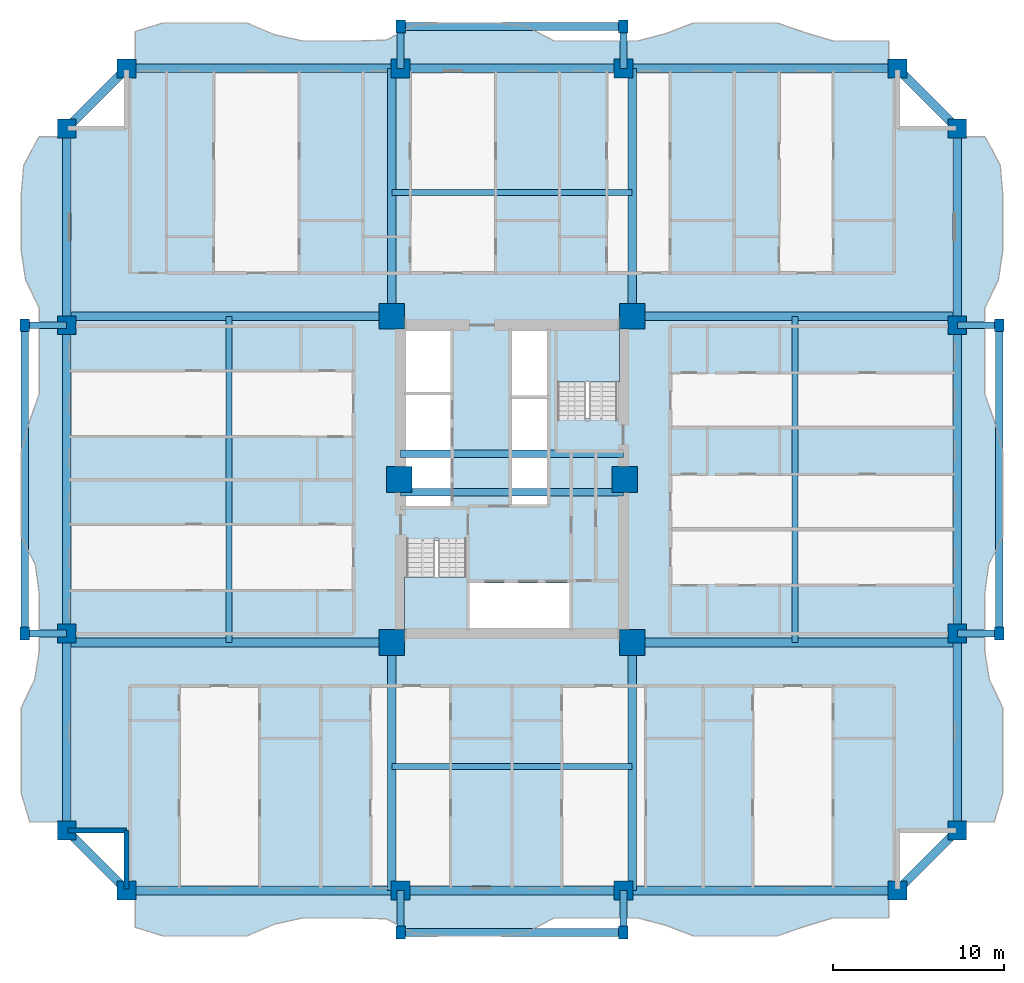
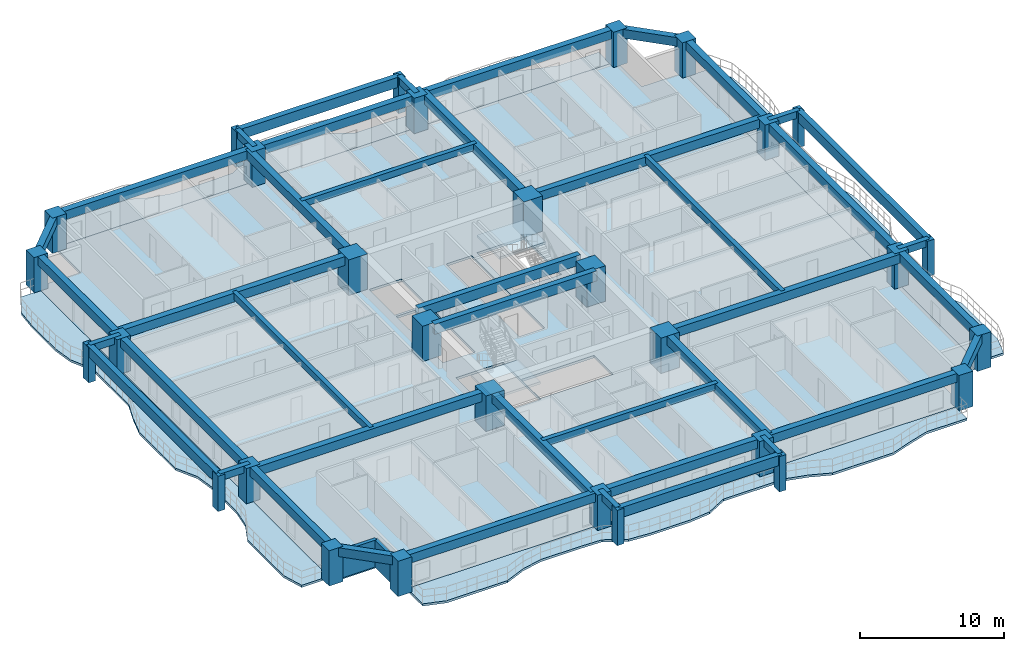
# One storey, part 1 of 18: 42 beams, 30 columns, 7 slabs, 2 walls, 2 elements without a shape of their own.
"""IFC4 building model written with IfcOpenShell, lengths in metres."""

from ifc_helpers import new_model, si_unit, direction, frame, frame_2d, origin, origin_2d, place, context, subcontext, project, spatial, polyline, rectangle, outline, extrude, source, transform, mapped, material, layer, layer_set, material_profile, profile_set, type_object, element, aggregate, save


model = new_model("IFC4")

# Units and contexts
model_context = context("Model", 3, precision=1e-05, world=origin(), true_north=direction((0.0, 1.0)))
body_context = subcontext(model_context, "Body", "Model", "MODEL_VIEW")
ifc_project = project(units=[si_unit("LENGTHUNIT", "METRE"), si_unit("AREAUNIT", "SQUARE_METRE"), si_unit("VOLUMEUNIT", "CUBIC_METRE"), si_unit("PLANEANGLEUNIT", "RADIAN"), si_unit("MASSUNIT", "GRAM", prefix="KILO")], contexts=[model_context])

# Site, building, storey
site_placement = place(None, origin())
site = spatial("IfcSite", under=ifc_project, at=site_placement, CompositionType="ELEMENT")
building_placement = place(site_placement, origin())
building = spatial("IfcBuilding", under=site, at=building_placement, Name="Saelheon Loggia Tower", CompositionType="ELEMENT")
storey_placement = place(building_placement, frame((0.0, 0.0, 40.39990234375)))
storey = spatial("IfcBuildingStorey", under=building, at=storey_placement, Name="L12", CompositionType="ELEMENT", Elevation=40.39990234375)

# Columns
ifc_material_1 = material(Name="Concrete C60/75", Category="concrete")
ifc_material_profile_1 = material_profile(ifc_material_1, rectangle(XDim=1.5, YDim=1.5, at=origin_2d()), Name="RC-1500x1500")
ifc_profile_set_1 = profile_set([ifc_material_profile_1], Name="Concrete C60/75")
column_type_1 = type_object("IfcColumnType", Name="Col_Core_RC1500", PredefinedType="COLUMN", material=ifc_profile_set_1)
shared_shape_1 = source(origin(), body_context, "Body", "SweptSolid", [
    extrude(rectangle(XDim=1.5, YDim=1.5, at=origin_2d()), origin(), (0.0, 0.0, 1.0), 3.0),
])
for number, where, z_axis, x_axis, name in (
    (1, (30.97998046875, 17.47998046875, 0.0), (0.0, 0.0, 1.0), (1.0, 0.0, 0.0), "L12 Core Column CR-SW"),
    (2, (45.02001953125, 17.47998046875, 0.0), (0.0, 0.0, 1.0), (1.0, 0.0, 0.0), "L12 Core Column CR-SE"),
    (3, (30.97998046875, 36.52001953125, 0.0), (0.0, 0.0, 1.0), (1.0, 0.0, 0.0), "L12 Core Column CR-NW"),
    (4, (45.02001953125, 36.52001953125, 0.0), (0.0, 0.0, 1.0), (1.0, 0.0, 0.0), "L12 Core Column CR-NE"),
    (5, (31.419921875, 27.0, 0.0), (0.0, 0.0, 1.0), (1.0, 0.0, 0.0), "L12 Core Column CR-MW"),
    (6, (44.580078125, 27.0, 0.0), (0.0, 0.0, 1.0), (1.0, 0.0, 0.0), "L12 Core Column CR-ME"),
):
    element("IfcColumn", number, at=place(storey_placement, frame(where, z_axis=z_axis, x_axis=x_axis)), inside=storey, type_object=column_type_1, Name=name, PredefinedType="COLUMN", context=body_context, shape_type="MappedRepresentation", body=[
        mapped(shared_shape_1, transform((0.0, 0.0, 0.0), scale=1.0)),
    ])
ifc_material_2 = material(Name="Concrete C50/60", Category="concrete")
ifc_material_profile_2 = material_profile(ifc_material_2, rectangle(XDim=1.10009765625, YDim=1.10009765625, at=origin_2d()), Name="RC-1100x1100")
ifc_profile_set_2 = profile_set([ifc_material_profile_2], Name="Concrete C50/60")
column_type_2 = type_object("IfcColumnType", Name="Col_PerimExt_RC1100", PredefinedType="COLUMN", material=ifc_profile_set_2)
shared_shape_2 = source(origin(), body_context, "Body", "SweptSolid", [
    extrude(rectangle(XDim=1.10009765625, YDim=1.10009765625, at=origin_2d()), origin(), (0.0, 0.0, 1.0), 3.0),
])
for number, where, z_axis, x_axis, name in (
    (7, (15.5, 3.0, 0.0), (0.0, 0.0, 1.0), (1.0, 0.0, 0.0), "L12 Perimeter Column TP-S1"),
    (8, (31.5, 3.0, 0.0), (0.0, 0.0, 1.0), (1.0, 0.0, 0.0), "L12 Perimeter Column TP-SA"),
    (9, (44.5, 3.0, 0.0), (0.0, 0.0, 1.0), (1.0, 0.0, 0.0), "L12 Perimeter Column TP-SB"),
    (10, (60.5, 3.0, 0.0), (0.0, 0.0, 1.0), (1.0, 0.0, 0.0), "L12 Perimeter Column TP-S2"),
    (11, (64.0, 6.5, 0.0), (0.0, 0.0, 1.0), (1.0, 0.0, 0.0), "L12 Perimeter Column TP-E1"),
    (12, (64.0, 18.0, 0.0), (0.0, 0.0, 1.0), (1.0, 0.0, 0.0), "L12 Perimeter Column TP-EA"),
    (13, (64.0, 36.0, 0.0), (0.0, 0.0, 1.0), (1.0, 0.0, 0.0), "L12 Perimeter Column TP-EB"),
    (14, (64.0, 47.5, 0.0), (0.0, 0.0, 1.0), (1.0, 0.0, 0.0), "L12 Perimeter Column TP-E2"),
    (15, (60.5, 51.0, 0.0), (0.0, 0.0, 1.0), (1.0, 0.0, 0.0), "L12 Perimeter Column TP-N2"),
    (16, (44.5, 51.0, 0.0), (0.0, 0.0, 1.0), (1.0, 0.0, 0.0), "L12 Perimeter Column TP-NB"),
    (17, (31.5, 51.0, 0.0), (0.0, 0.0, 1.0), (1.0, 0.0, 0.0), "L12 Perimeter Column TP-NA"),
    (18, (15.5, 51.0, 0.0), (0.0, 0.0, 1.0), (1.0, 0.0, 0.0), "L12 Perimeter Column TP-N1"),
    (19, (12.0, 47.5, 0.0), (0.0, 0.0, 1.0), (1.0, 0.0, 0.0), "L12 Perimeter Column TP-W2"),
    (20, (12.0, 36.0, 0.0), (0.0, 0.0, 1.0), (1.0, 0.0, 0.0), "L12 Perimeter Column TP-WB"),
    (21, (12.0, 18.0, 0.0), (0.0, 0.0, 1.0), (1.0, 0.0, 0.0), "L12 Perimeter Column TP-WA"),
    (22, (12.0, 6.5, 0.0), (0.0, 0.0, 1.0), (1.0, 0.0, 0.0), "L12 Perimeter Column TP-W1"),
):
    element("IfcColumn", number, at=place(storey_placement, frame(where, z_axis=z_axis, x_axis=x_axis)), inside=storey, type_object=column_type_2, Name=name, PredefinedType="COLUMN", context=body_context, shape_type="MappedRepresentation", body=[
        mapped(shared_shape_2, transform((0.0, 0.0, 0.0), scale=1.0)),
    ])
ifc_material_3 = material(Name="Precast Concrete C45/55", Category="concrete")
ifc_material_profile_3 = material_profile(ifc_material_3, rectangle(XDim=0.550048828125, YDim=0.75, at=origin_2d()), Name="RC-550x750")
ifc_profile_set_3 = profile_set([ifc_material_profile_3], Name="Precast Concrete C45/55")
column_type_3 = type_object("IfcColumnType", Name="Col_Loggia_Pilaster_750", PredefinedType="PILASTER", material=ifc_profile_set_3)
shared_shape_3 = source(origin(), body_context, "Body", "SweptSolid", [
    extrude(rectangle(XDim=0.550048828125, YDim=0.75, at=origin_2d()), origin(), (0.0, 0.0, 1.0), 3.0),
])
for number, where, z_axis, x_axis, name in (
    (23, (31.5, 0.550048828125, 0.0), (0.0, 0.0, 1.0), (1.0, 0.0, 0.0), "L12 Loggia Frame Pilaster LP-S1"),
    (24, (44.5, 0.550048828125, 0.0), (0.0, 0.0, 1.0), (1.0, 0.0, 0.0), "L12 Loggia Frame Pilaster LP-S2"),
    (25, (31.5, 53.449951171875, 0.0), (0.0, 0.0, 1.0), (1.0, 0.0, 0.0), "L12 Loggia Frame Pilaster LP-N1"),
    (26, (44.5, 53.449951171875, 0.0), (0.0, 0.0, 1.0), (1.0, 0.0, 0.0), "L12 Loggia Frame Pilaster LP-N2"),
    (27, (66.449951171875, 18.0, 0.0), (0.0, 0.0, 1.0), (1.0, 0.0, 0.0), "L12 Loggia Frame Pilaster LP-E1"),
    (28, (66.449951171875, 36.0, 0.0), (0.0, 0.0, 1.0), (1.0, 0.0, 0.0), "L12 Loggia Frame Pilaster LP-E2"),
    (29, (9.550048828125, 18.0, 0.0), (0.0, 0.0, 1.0), (1.0, 0.0, 0.0), "L12 Loggia Frame Pilaster LP-W1"),
    (30, (9.550048828125, 36.0, 0.0), (0.0, 0.0, 1.0), (1.0, 0.0, 0.0), "L12 Loggia Frame Pilaster LP-W2"),
):
    element("IfcColumn", number, at=place(storey_placement, frame(where, z_axis=z_axis, x_axis=x_axis)), inside=storey, type_object=column_type_3, Name=name, PredefinedType="PILASTER", context=body_context, shape_type="MappedRepresentation", body=[
        mapped(shared_shape_3, transform((0.0, 0.0, 0.0), scale=1.0)),
    ])

# Beams
ifc_material_profile_4 = material_profile(ifc_material_2, rectangle(XDim=0.449951171875, YDim=0.85009765625, at=origin_2d()), Name="RC-450x850")
ifc_profile_set_4 = profile_set([ifc_material_profile_4], Name="Concrete C50/60")
beam_type_1 = type_object("IfcBeamType", Name="Beam_CoreLintel_RC450x850", PredefinedType="LINTEL", material=ifc_profile_set_4)
shared_shape_4 = source(origin(), body_context, "Body", "SweptSolid", [
    extrude(rectangle(XDim=0.449951171875, YDim=0.85009765625, at=origin_2d()), origin(), (0.0, 0.0, 1.0), 13.0),
])
for number, where, z_axis, x_axis, name in (
    (31, (31.5, 26.25, 2.5751953125), (1.0, 0.0, 0.0), (0.0, 1.0, 0.0), "L12 Core Coupling Lintel 1"),
    (32, (31.5, 28.5, 2.5751953125), (1.0, 0.0, 0.0), (0.0, 1.0, 0.0), "L12 Core Coupling Lintel 2"),
):
    element("IfcBeam", number, at=place(storey_placement, frame(where, z_axis=z_axis, x_axis=x_axis)), inside=storey, type_object=beam_type_1, Name=name, PredefinedType="LINTEL", context=body_context, shape_type="MappedRepresentation", body=[
        mapped(shared_shape_4, transform((0.0, 0.0, 0.0), scale=1.0)),
    ])
ifc_material_profile_5 = material_profile(ifc_material_3, rectangle(XDim=0.449951171875, YDim=0.85009765625, at=origin_2d()), Name="RC-450x850")
ifc_profile_set_5 = profile_set([ifc_material_profile_5], Name="Precast Concrete C45/55")
beam_type_2 = type_object("IfcBeamType", Name="Beam_LoggiaSpandrel_RC450x850", PredefinedType="SPANDREL", material=ifc_profile_set_5)
for number, where, z_axis, x_axis, name in (
    (33, (31.5, 0.550048828125, 2.5751953125), (1.0, 0.0, 0.0), (0.0, 1.0, 0.0), "L12 Loggia Spandrel Beam S"),
    (34, (31.5, 53.449951171875, 2.5751953125), (1.0, 0.0, 0.0), (0.0, 1.0, 0.0), "L12 Loggia Spandrel Beam N"),
):
    element("IfcBeam", number, at=place(storey_placement, frame(where, z_axis=z_axis, x_axis=x_axis)), inside=storey, type_object=beam_type_2, Name=name, PredefinedType="SPANDREL", context=body_context, shape_type="MappedRepresentation", body=[
        mapped(shared_shape_4, transform((0.0, 0.0, 0.0), scale=1.0)),
    ])
ifc_material_4 = material(Name="Concrete C45/55", Category="concrete")
ifc_material_profile_6 = material_profile(ifc_material_4, rectangle(XDim=0.5, YDim=0.75, at=origin_2d()), Name="RC-500x750")
ifc_profile_set_6 = profile_set([ifc_material_profile_6], Name="Concrete C45/55")
beam_type_3 = type_object("IfcBeamType", Name="Beam_FloorGirder_RC500x750", PredefinedType="BEAM", material=ifc_profile_set_6)
shared_shape_5 = source(origin(), body_context, "Body", "SweptSolid", [
    extrude(rectangle(XDim=0.5, YDim=0.75, at=origin_2d()), origin(), (0.0, 0.0, 1.0), 14.47998046875),
])
for number, where, z_axis, x_axis, name in (
    (35, (30.97998046875, 17.47998046875, 2.625), (0.0, -1.0, 0.0), (1.0, 0.0, 0.0), "L12 Radial Floor Girder RAD-SW-S"),
    (36, (45.02001953125, 17.47998046875, 2.625), (0.0, -1.0, 0.0), (1.0, 0.0, 0.0), "L12 Radial Floor Girder RAD-SE-S"),
    (37, (30.97998046875, 36.52001953125, 2.625), (0.0, 1.0, 0.0), (-1.0, 0.0, 0.0), "L12 Radial Floor Girder RAD-NW-N"),
    (38, (45.02001953125, 36.52001953125, 2.625), (0.0, 1.0, 0.0), (-1.0, 0.0, 0.0), "L12 Radial Floor Girder RAD-NE-N"),
):
    element("IfcBeam", number, at=place(storey_placement, frame(where, z_axis=z_axis, x_axis=x_axis)), inside=storey, type_object=beam_type_3, Name=name, PredefinedType="BEAM", context=body_context, shape_type="MappedRepresentation", body=[
        mapped(shared_shape_5, transform((0.0, 0.0, 0.0), scale=1.0)),
    ])
ifc_material_profile_7 = material_profile(ifc_material_4, rectangle(XDim=0.5, YDim=0.75, at=origin_2d()), Name="RC-500x750")
ifc_profile_set_7 = profile_set([ifc_material_profile_7], Name="Concrete C45/55")
beam_type_4 = type_object("IfcBeamType", Name="Beam_PerimGirder_RC500x750", PredefinedType="BEAM", material=ifc_profile_set_7)
shared_shape_6 = source(origin(), body_context, "Body", "SweptSolid", [
    extrude(rectangle(XDim=0.5, YDim=0.75, at=origin_2d()), origin(), (0.0, 0.0, 1.0), 16.0),
])
for number, where, z_axis, x_axis, name in (
    (39, (15.5, 3.0, 2.625), (1.0, 0.0, 0.0), (0.0, 1.0, 0.0), "L12 Perimeter Frame Girder 01"),
    (40, (44.5, 3.0, 2.625), (1.0, 0.0, 0.0), (0.0, 1.0, 0.0), "L12 Perimeter Frame Girder 03"),
    (41, (60.5, 51.0, 2.625), (-1.0, 0.0, 0.0), (0.0, -1.0, 0.0), "L12 Perimeter Frame Girder 09"),
    (42, (31.5, 51.0, 2.625), (-1.0, 0.0, 0.0), (0.0, -1.0, 0.0), "L12 Perimeter Frame Girder 11"),
):
    element("IfcBeam", number, at=place(storey_placement, frame(where, z_axis=z_axis, x_axis=x_axis)), inside=storey, type_object=beam_type_4, Name=name, PredefinedType="BEAM", context=body_context, shape_type="MappedRepresentation", body=[
        mapped(shared_shape_6, transform((0.0, 0.0, 0.0), scale=1.0)),
    ])
shared_shape_7 = source(origin(), body_context, "Body", "SweptSolid", [
    extrude(rectangle(XDim=0.5, YDim=0.75, at=origin_2d()), origin(), (0.0, 0.0, 1.0), 13.0),
])
for number, where, z_axis, x_axis, name in (
    (43, (31.5, 3.0, 2.625), (1.0, 0.0, 0.0), (0.0, 1.0, 0.0), "L12 Perimeter Frame Girder 02"),
    (44, (44.5, 51.0, 2.625), (-1.0, 0.0, 0.0), (0.0, -1.0, 0.0), "L12 Perimeter Frame Girder 10"),
):
    element("IfcBeam", number, at=place(storey_placement, frame(where, z_axis=z_axis, x_axis=x_axis)), inside=storey, type_object=beam_type_4, Name=name, PredefinedType="BEAM", context=body_context, shape_type="MappedRepresentation", body=[
        mapped(shared_shape_7, transform((0.0, 0.0, 0.0), scale=1.0)),
    ])
shared_shape_8 = source(origin(), body_context, "Body", "SweptSolid", [
    extrude(rectangle(XDim=0.5, YDim=0.75, at=origin_2d()), origin(), (0.0, 0.0, 1.0), 4.94970703125),
])
for number, where, z_axis, x_axis, name in (
    (45, (60.5, 3.0, 2.625), (0.707106781187, 0.707106781187, 0.0), (-0.707106781187, 0.707106781187, 0.0), "L12 Perimeter Frame Girder 04"),
    (46, (64.0, 47.5, 2.625), (-0.707106781187, 0.707106781187, 0.0), (-0.707106781187, -0.707106781187, 0.0), "L12 Perimeter Frame Girder 08"),
    (47, (15.5, 51.0, 2.625), (-0.707106781187, -0.707106781187, 0.0), (0.707106781187, -0.707106781187, 0.0), "L12 Perimeter Frame Girder 12"),
    (48, (12.0, 6.5, 2.625), (0.707106781187, -0.707106781187, 0.0), (0.707106781187, 0.707106781187, 0.0), "L12 Perimeter Frame Girder 16"),
):
    element("IfcBeam", number, at=place(storey_placement, frame(where, z_axis=z_axis, x_axis=x_axis)), inside=storey, type_object=beam_type_4, Name=name, PredefinedType="BEAM", context=body_context, shape_type="MappedRepresentation", body=[
        mapped(shared_shape_8, transform((0.0, 0.0, 0.0), scale=1.0)),
    ])
shared_shape_9 = source(origin(), body_context, "Body", "SweptSolid", [
    extrude(rectangle(XDim=0.5, YDim=0.75, at=origin_2d()), origin(), (0.0, 0.0, 1.0), 11.5),
])
for number, where, z_axis, x_axis, name in (
    (49, (64.0, 6.5, 2.625), (0.0, 1.0, 0.0), (-1.0, 0.0, 0.0), "L12 Perimeter Frame Girder 05"),
    (50, (64.0, 36.0, 2.625), (0.0, 1.0, 0.0), (-1.0, 0.0, 0.0), "L12 Perimeter Frame Girder 07"),
    (51, (12.0, 47.5, 2.625), (0.0, -1.0, 0.0), (1.0, 0.0, 0.0), "L12 Perimeter Frame Girder 13"),
    (52, (12.0, 18.0, 2.625), (0.0, -1.0, 0.0), (1.0, 0.0, 0.0), "L12 Perimeter Frame Girder 15"),
):
    element("IfcBeam", number, at=place(storey_placement, frame(where, z_axis=z_axis, x_axis=x_axis)), inside=storey, type_object=beam_type_4, Name=name, PredefinedType="BEAM", context=body_context, shape_type="MappedRepresentation", body=[
        mapped(shared_shape_9, transform((0.0, 0.0, 0.0), scale=1.0)),
    ])
shared_shape_10 = source(origin(), body_context, "Body", "SweptSolid", [
    extrude(rectangle(XDim=0.5, YDim=0.75, at=origin_2d()), origin(), (0.0, 0.0, 1.0), 18.0),
])
for number, where, z_axis, x_axis, name in (
    (53, (64.0, 18.0, 2.625), (0.0, 1.0, 0.0), (-1.0, 0.0, 0.0), "L12 Perimeter Frame Girder 06"),
    (54, (12.0, 36.0, 2.625), (0.0, -1.0, 0.0), (1.0, 0.0, 0.0), "L12 Perimeter Frame Girder 14"),
):
    element("IfcBeam", number, at=place(storey_placement, frame(where, z_axis=z_axis, x_axis=x_axis)), inside=storey, type_object=beam_type_4, Name=name, PredefinedType="BEAM", context=body_context, shape_type="MappedRepresentation", body=[
        mapped(shared_shape_10, transform((0.0, 0.0, 0.0), scale=1.0)),
    ])
shared_shape_11 = source(origin(), body_context, "Body", "SweptSolid", [
    extrude(rectangle(XDim=0.5, YDim=0.75, at=origin_2d()), origin(), (0.0, 0.0, 1.0), 18.97998046875),
])
for number, where, z_axis, x_axis, name in (
    (55, (30.97998046875, 17.47998046875, 2.625), (-1.0, 0.0, 0.0), (0.0, -1.0, 0.0), "L12 Radial Floor Girder RAD-SW-W"),
    (56, (30.97998046875, 36.52001953125, 2.625), (-1.0, 0.0, 0.0), (0.0, -1.0, 0.0), "L12 Radial Floor Girder RAD-NW-W"),
    (57, (45.02001953125, 17.47998046875, 2.625), (1.0, 0.0, 0.0), (0.0, 1.0, 0.0), "L12 Radial Floor Girder RAD-SE-E"),
    (58, (45.02001953125, 36.52001953125, 2.625), (1.0, 0.0, 0.0), (0.0, 1.0, 0.0), "L12 Radial Floor Girder RAD-NE-E"),
):
    element("IfcBeam", number, at=place(storey_placement, frame(where, z_axis=z_axis, x_axis=x_axis)), inside=storey, type_object=beam_type_3, Name=name, PredefinedType="BEAM", context=body_context, shape_type="MappedRepresentation", body=[
        mapped(shared_shape_11, transform((0.0, 0.0, 0.0), scale=1.0)),
    ])
ifc_material_5 = material(Name="Concrete C40/50", Category="concrete")
ifc_material_profile_8 = material_profile(ifc_material_5, rectangle(XDim=0.35009765625, YDim=0.550048828125, at=origin_2d()), Name="RC-350x550")
ifc_profile_set_8 = profile_set([ifc_material_profile_8], Name="Concrete C40/50")
beam_type_5 = type_object("IfcBeamType", Name="Beam_Joist_RC350x550", PredefinedType="JOIST", material=ifc_profile_set_8)
shared_shape_12 = source(origin(), body_context, "Body", "SweptSolid", [
    extrude(rectangle(XDim=0.35009765625, YDim=0.550048828125, at=origin_2d()), origin(), (0.0, 0.0, 1.0), 14.0400390625),
])
for number, where, z_axis, x_axis, name in (
    (59, (30.97998046875, 10.239990234375, 2.72509765625), (1.0, 0.0, 0.0), (0.0, 1.0, 0.0), "L12 South Floor Joist"),
    (60, (30.97998046875, 43.760009765625, 2.72509765625), (1.0, 0.0, 0.0), (0.0, 1.0, 0.0), "L12 North Floor Joist"),
):
    element("IfcBeam", number, at=place(storey_placement, frame(where, z_axis=z_axis, x_axis=x_axis)), inside=storey, type_object=beam_type_5, Name=name, PredefinedType="JOIST", context=body_context, shape_type="MappedRepresentation", body=[
        mapped(shared_shape_12, transform((0.0, 0.0, 0.0), scale=1.0)),
    ])
shared_shape_13 = source(origin(), body_context, "Body", "SweptSolid", [
    extrude(rectangle(XDim=0.35009765625, YDim=0.550048828125, at=origin_2d()), origin(), (0.0, 0.0, 1.0), 19.0400390625),
])
for number, where, z_axis, x_axis, name in (
    (61, (21.489990234375, 17.47998046875, 2.72509765625), (0.0, 1.0, 0.0), (-1.0, 0.0, 0.0), "L12 West Floor Joist"),
    (62, (54.510009765625, 17.47998046875, 2.72509765625), (0.0, 1.0, 0.0), (-1.0, 0.0, 0.0), "L12 East Floor Joist"),
):
    element("IfcBeam", number, at=place(storey_placement, frame(where, z_axis=z_axis, x_axis=x_axis)), inside=storey, type_object=beam_type_5, Name=name, PredefinedType="JOIST", context=body_context, shape_type="MappedRepresentation", body=[
        mapped(shared_shape_13, transform((0.0, 0.0, 0.0), scale=1.0)),
    ])
ifc_material_profile_9 = material_profile(ifc_material_3, rectangle(XDim=0.39990234375, YDim=0.60009765625, at=origin_2d()), Name="RC-400x600")
ifc_profile_set_9 = profile_set([ifc_material_profile_9], Name="Precast Concrete C45/55")
beam_type_6 = type_object("IfcBeamType", Name="Beam_LoggiaTie_RC400x600", PredefinedType="BEAM", material=ifc_profile_set_9)
shared_shape_14 = source(origin(), body_context, "Body", "SweptSolid", [
    extrude(rectangle(XDim=0.39990234375, YDim=0.60009765625, at=origin_2d()), origin(), (0.0, 0.0, 1.0), 2.449951171875),
])
for number, where, z_axis, x_axis, name in (
    (63, (31.5, 3.0, 2.7001953125), (0.0, -1.0, 0.0), (1.0, 0.0, 0.0), "L12 Loggia Frame Tie Beam LP-S1"),
    (64, (44.5, 3.0, 2.7001953125), (0.0, -1.0, 0.0), (1.0, 0.0, 0.0), "L12 Loggia Frame Tie Beam LP-S2"),
    (65, (31.5, 51.0, 2.7001953125), (0.0, 1.0, 0.0), (-1.0, 0.0, 0.0), "L12 Loggia Frame Tie Beam LP-N1"),
    (66, (44.5, 51.0, 2.7001953125), (0.0, 1.0, 0.0), (-1.0, 0.0, 0.0), "L12 Loggia Frame Tie Beam LP-N2"),
    (67, (64.0, 18.0, 2.7001953125), (1.0, 0.0, 0.0), (0.0, 1.0, 0.0), "L12 Loggia Frame Tie Beam LP-E1"),
    (68, (64.0, 36.0, 2.7001953125), (1.0, 0.0, 0.0), (0.0, 1.0, 0.0), "L12 Loggia Frame Tie Beam LP-E2"),
    (69, (12.0, 18.0, 2.7001953125), (-1.0, 0.0, 0.0), (0.0, -1.0, 0.0), "L12 Loggia Frame Tie Beam LP-W1"),
    (70, (12.0, 36.0, 2.7001953125), (-1.0, 0.0, 0.0), (0.0, -1.0, 0.0), "L12 Loggia Frame Tie Beam LP-W2"),
):
    element("IfcBeam", number, at=place(storey_placement, frame(where, z_axis=z_axis, x_axis=x_axis)), inside=storey, type_object=beam_type_6, Name=name, PredefinedType="BEAM", context=body_context, shape_type="MappedRepresentation", body=[
        mapped(shared_shape_14, transform((0.0, 0.0, 0.0), scale=1.0)),
    ])
shared_shape_15 = source(origin(), body_context, "Body", "SweptSolid", [
    extrude(rectangle(XDim=0.449951171875, YDim=0.85009765625, at=origin_2d()), origin(), (0.0, 0.0, 1.0), 18.0),
])
for number, where, z_axis, x_axis, name in (
    (71, (66.449951171875, 18.0, 2.5751953125), (0.0, 1.0, 0.0), (-1.0, 0.0, 0.0), "L12 Loggia Spandrel Beam E"),
    (72, (9.550048828125, 18.0, 2.5751953125), (0.0, 1.0, 0.0), (-1.0, 0.0, 0.0), "L12 Loggia Spandrel Beam W"),
):
    element("IfcBeam", number, at=place(storey_placement, frame(where, z_axis=z_axis, x_axis=x_axis)), inside=storey, type_object=beam_type_2, Name=name, PredefinedType="SPANDREL", context=body_context, shape_type="MappedRepresentation", body=[
        mapped(shared_shape_15, transform((0.0, 0.0, 0.0), scale=1.0)),
    ])

# Slabs
ifc_layer_1 = layer(ifc_material_3, 0.18994140625)
ifc_layer_set_1 = layer_set([ifc_layer_1], Name="Precast Concrete C45/55")
slab_type_1 = type_object("IfcSlabType", Name="Slab_Loggia_Ext_190", PredefinedType="FLOOR", material=ifc_layer_set_1)
slab_1_placement = place(storey_placement, frame((0.0, 0.0, -0.18994140625)))
element("IfcSlab", 73, at=slab_1_placement, inside=storey, type_object=slab_type_1, Name="L12 Loggia Balcony Slab S", PredefinedType="FLOOR", context=body_context, shape_type="SweptSolid", body=[
    extrude(outline(polyline([(16.0, 0.85009765625), (17.629638671875, 0.35009765625), (19.25927734375, 0.35009765625), (20.888916015625, 0.35009765625), (22.5185546875, 0.35009765625), (24.148193359375, 1.038818359375), (25.77783203125, 1.39990234375), (27.407470703125, 1.39990234375), (29.037109375, 1.39990234375), (30.666748046875, 1.345703125), (32.29638671875, 0.476318359375), (33.92578125, 0.35009765625), (35.5556640625, 0.35009765625), (37.185302734375, 0.35009765625), (38.814697265625, 0.534912109375), (40.4443359375, 1.39990234375), (42.07421875, 1.39990234375), (43.70361328125, 1.39990234375), (45.333251953125, 1.39990234375), (46.962890625, 0.978759765625), (48.592529296875, 0.35009765625), (50.22216796875, 0.35009765625), (51.851806640625, 0.35009765625), (53.4814453125, 0.35009765625), (55.111083984375, 0.910400390625), (56.74072265625, 1.39990234375), (58.370361328125, 1.39990234375), (60.0, 1.39990234375), (60.0, 3.0), (16.0, 3.0), (16.0, 0.85009765625)])), origin(), (0.0, 0.0, 1.0), 0.18994140625),
])
slab_2_placement = place(storey_placement, frame((0.0, 0.0, -0.18994140625)))
element("IfcSlab", 74, at=slab_2_placement, inside=storey, type_object=slab_type_1, Name="L12 Loggia Balcony Slab N", PredefinedType="FLOOR", context=body_context, shape_type="SweptSolid", body=[
    extrude(outline(polyline([(16.0, 51.0), (60.0, 51.0), (60.0, 52.60009765625), (58.370361328125, 52.60009765625), (56.74072265625, 52.60009765625), (55.111083984375, 53.089599609375), (53.4814453125, 53.64990234375), (51.851806640625, 53.64990234375), (50.22216796875, 53.64990234375), (48.592529296875, 53.64990234375), (46.962890625, 53.021240234375), (45.333251953125, 52.60009765625), (43.70361328125, 52.60009765625), (42.07421875, 52.60009765625), (40.4443359375, 52.60009765625), (38.814697265625, 53.465087890625), (37.185302734375, 53.64990234375), (35.5556640625, 53.64990234375), (33.92578125, 53.64990234375), (32.29638671875, 53.523681640625), (30.666748046875, 52.654296875), (29.037109375, 52.60009765625), (27.407470703125, 52.60009765625), (25.77783203125, 52.60009765625), (24.148193359375, 52.961181640625), (22.5185546875, 53.64990234375), (20.888916015625, 53.64990234375), (19.25927734375, 53.64990234375), (17.629638671875, 53.64990234375), (16.0, 53.14990234375), (16.0, 51.0)])), origin(), (0.0, 0.0, 1.0), 0.18994140625),
])
slab_3_placement = place(storey_placement, frame((0.0, 0.0, -0.18994140625)))
element("IfcSlab", 75, at=slab_3_placement, inside=storey, type_object=slab_type_1, Name="L12 Loggia Balcony Slab E", PredefinedType="FLOOR", context=body_context, shape_type="SweptSolid", body=[
    extrude(outline(polyline([(64.0, 7.0), (66.14990234375, 7.0), (66.64990234375, 8.666748046875), (66.64990234375, 10.333251953125), (66.64990234375, 12.0), (66.64990234375, 13.666748046875), (65.8623046875, 15.333251953125), (65.60009765625, 17.0), (65.60009765625, 18.666748046875), (65.60009765625, 20.333251953125), (65.826904296875, 22.0), (66.64990234375, 23.666748046875), (66.64990234375, 25.333251953125), (66.64990234375, 27.0), (66.64990234375, 28.666748046875), (66.186279296875, 30.333251953125), (65.60009765625, 32.0), (65.60009765625, 33.666748046875), (65.60009765625, 35.333251953125), (65.60009765625, 37.0), (66.40234375, 38.666748046875), (66.64990234375, 40.333251953125), (66.64990234375, 42.0), (66.64990234375, 43.666748046875), (66.50830078125, 45.333251953125), (65.620849609375, 47.0), (64.0, 47.0), (64.0, 7.0)])), origin(), (0.0, 0.0, 1.0), 0.18994140625),
])
slab_4_placement = place(storey_placement, frame((0.0, 0.0, -0.18994140625)))
element("IfcSlab", 76, at=slab_4_placement, inside=storey, type_object=slab_type_1, Name="L12 Loggia Balcony Slab W", PredefinedType="FLOOR", context=body_context, shape_type="SweptSolid", body=[
    extrude(outline(polyline([(12.0, 7.0), (12.0, 47.0), (10.379150390625, 47.0), (9.49169921875, 45.333251953125), (9.35009765625, 43.666748046875), (9.35009765625, 42.0), (9.35009765625, 40.333251953125), (9.59765625, 38.666748046875), (10.39990234375, 37.0), (10.39990234375, 35.333251953125), (10.39990234375, 33.666748046875), (10.39990234375, 32.0), (9.813720703125, 30.333251953125), (9.35009765625, 28.666748046875), (9.35009765625, 27.0), (9.35009765625, 25.333251953125), (9.35009765625, 23.666748046875), (10.173095703125, 22.0), (10.39990234375, 20.333251953125), (10.39990234375, 18.666748046875), (10.39990234375, 17.0), (10.1376953125, 15.333251953125), (9.35009765625, 13.666748046875), (9.35009765625, 12.0), (9.35009765625, 10.333251953125), (9.35009765625, 8.666748046875), (9.85009765625, 7.0), (12.0, 7.0)])), origin(), (0.0, 0.0, 1.0), 0.18994140625),
])

# Stair, slab
stair_type = type_object("IfcStairType", Name="Stair_Escape_Core", PredefinedType="HALF_TURN_STAIR", material=ifc_material_5)
stair_1_placement = place(storey_placement, origin())
stair_1 = element("IfcStair", 77, at=stair_1_placement, inside=storey, type_object=stair_type, Name="L12 Special Escape Stair ST1", PredefinedType="HALF_TURN_STAIR")
ifc_layer_2 = layer(ifc_material_5, 0.199951171875)
ifc_layer_set_2 = layer_set([ifc_layer_2], Name="Concrete C40/50")
slab_type_2 = type_object("IfcSlabType", Name="Slab_StairLanding_ST1", PredefinedType="LANDING", material=ifc_layer_set_2)
slab_5_placement = place(storey_placement, frame((0.0, 0.0, 1.300048828125)))
slab_5 = element("IfcSlab", 78, at=slab_5_placement, type_object=slab_type_2, Name="ST1 landing 1", PredefinedType="LANDING", context=body_context, shape_type="SweptSolid", body=[
    extrude(outline(polyline([(31.7099609375, 21.31005859375), (31.7099609375, 18.2099609375), (35.469970703125, 18.2099609375), (35.469970703125, 21.31005859375), (31.7099609375, 21.31005859375)])), origin(), (0.0, 0.0, 1.0), 0.199951171875),
])
aggregate(stair_1, [slab_5])

stair_2_placement = place(storey_placement, origin())
stair_2 = element("IfcStair", 79, at=stair_2_placement, inside=storey, type_object=stair_type, Name="L12 Special Escape Stair ST2", PredefinedType="HALF_TURN_STAIR")
ifc_layer_3 = layer(ifc_material_5, 0.199951171875)
ifc_layer_set_3 = layer_set([ifc_layer_3], Name="Concrete C40/50")
slab_type_3 = type_object("IfcSlabType", Name="Slab_StairLanding_ST2", PredefinedType="LANDING", material=ifc_layer_set_3)
slab_6_placement = place(storey_placement, frame((0.0, 0.0, 1.300048828125)))
slab_6 = element("IfcSlab", 80, at=slab_6_placement, type_object=slab_type_3, Name="ST2 landing 1", PredefinedType="LANDING", context=body_context, shape_type="SweptSolid", body=[
    extrude(outline(polyline([(44.2900390625, 32.68994140625), (44.2900390625, 35.7900390625), (40.530029296875, 35.7900390625), (40.530029296875, 32.68994140625), (44.2900390625, 32.68994140625)])), origin(), (0.0, 0.0, 1.0), 0.199951171875),
])
aggregate(stair_2, [slab_6])

# Slab
ifc_layer_4 = layer(ifc_material_5, 0.2099609375)
ifc_layer_set_4 = layer_set([ifc_layer_4], Name="Concrete C40/50")
slab_type_4 = type_object("IfcSlabType", Name="Slab_Tower_210", PredefinedType="FLOOR", material=ifc_layer_set_4)
slab_7_placement = place(storey_placement, frame((0.0, 0.0, -0.2099609375)))
element("IfcSlab", 81, at=slab_7_placement, inside=storey, type_object=slab_type_4, Name="L12 Tower Floor Slab", PredefinedType="FLOOR", context=body_context, shape_type="SweptSolid", body=[
    extrude(outline(polyline([(15.5, 3.0), (60.5, 3.0), (60.5, 6.5), (64.0, 6.5), (64.0, 47.5), (60.5, 47.5), (60.5, 51.0), (15.5, 51.0), (15.5, 47.5), (12.0, 47.5), (12.0, 6.5), (15.5, 6.5), (15.5, 3.0)]), holes=[polyline([(31.699951171875, 23.409912109375), (31.699951171875, 18.199951171875), (35.47998046875, 18.199951171875), (35.47998046875, 23.409912109375), (31.699951171875, 23.409912109375)]), polyline([(44.300048828125, 30.590087890625), (44.300048828125, 35.800048828125), (40.52001953125, 35.800048828125), (40.52001953125, 30.590087890625), (44.300048828125, 30.590087890625)]), polyline([(35.530029296875, 18.324951171875), (41.35009765625, 18.324951171875), (41.35009765625, 20.9599609375), (35.530029296875, 20.9599609375), (35.530029296875, 18.324951171875)]), polyline([(31.824951171875, 32.1201171875), (34.419921875, 32.1201171875), (34.419921875, 35.675048828125), (31.824951171875, 35.675048828125), (31.824951171875, 32.1201171875)]), polyline([(38.0, 31.89990234375), (40.050048828125, 31.89990234375), (40.050048828125, 35.675048828125), (38.0, 35.675048828125), (38.0, 31.89990234375)]), polyline([(31.824951171875, 25.449951171875), (34.419921875, 25.449951171875), (34.419921875, 31.919921875), (31.824951171875, 31.919921875), (31.824951171875, 25.449951171875)]), polyline([(38.0, 25.5400390625), (40.050048828125, 25.5400390625), (40.050048828125, 31.699951171875), (38.0, 31.699951171875), (38.0, 25.5400390625)])]), origin(), (0.0, 0.0, 1.0), 0.2099609375),
])

# Walls
ifc_material_6 = material(Name="Architectural Precast Concrete C40/50", Category="concrete")
ifc_layer_5 = layer(ifc_material_6, 0.280029296875)
ifc_layer_set_5 = layer_set([ifc_layer_5], Name="Architectural Precast Concrete C40/50")
wall_type = type_object("IfcWallType", Name="Wall_Ext_Loggia_280", PredefinedType="SOLIDWALL", material=ifc_layer_set_5)
for number, where, z_axis, x_axis, name in (
    (82, (15.5, 3.080078125, 0.0), (0.0, 0.0, 1.0), (0.0, 1.0, 0.0), "L12 Corner Notch Precast Wall SW1"),
    (83, (12.080078125, 6.5, 0.0), (0.0, 0.0, 1.0), (1.0, 0.0, 0.0), "L12 Corner Notch Precast Wall SW2"),
):
    element("IfcWall", number, at=place(storey_placement, frame(where, z_axis=z_axis, x_axis=x_axis)), inside=storey, type_object=wall_type, Name=name, PredefinedType="SOLIDWALL", context=body_context, shape_type="SweptSolid", body=[
        extrude(rectangle(XDim=3.419921875, YDim=0.280029296875, at=frame_2d((1.7099609375, 0.0))), origin(), (0.0, 0.0, 1.0), 2.280029296875),
    ])

save(model, "model.ifc")
